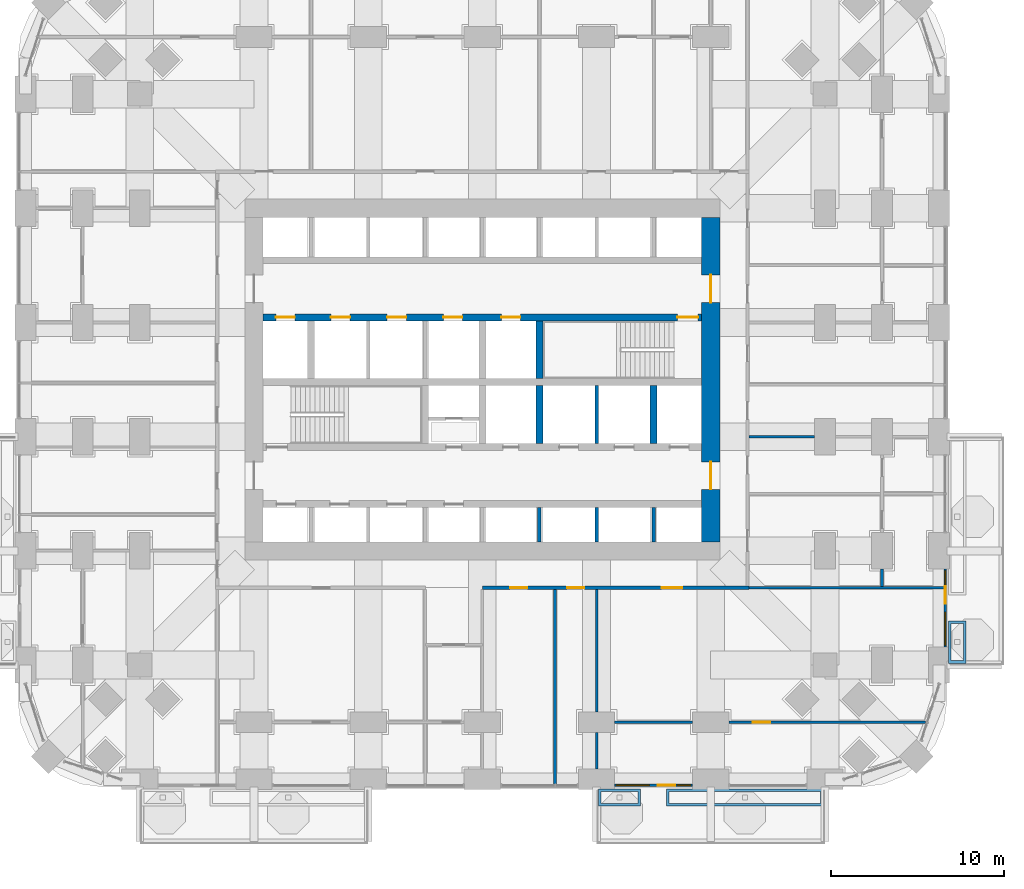
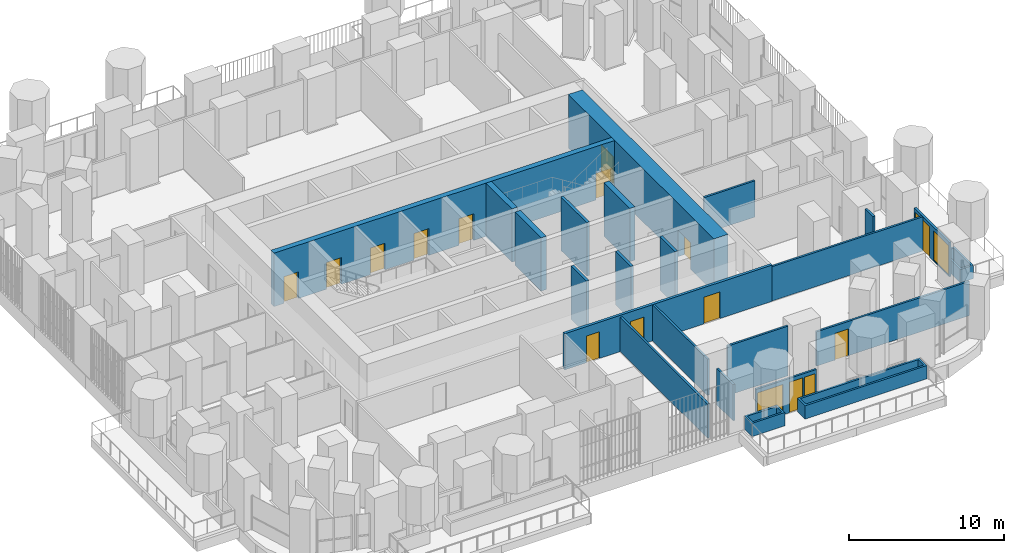
# One storey, part 20 of 27: 23 walls, 14 doors, 4 windows, 18 openings.
"""IFC4 building model written with IfcOpenShell, lengths in metres."""

from ifc_helpers import new_model, si_unit, direction, frame, frame_2d, origin, place, context, subcontext, project, spatial, polyline, rectangle, outline, extrude, material, layer, layer_set, type_object, element, fill, save


model = new_model("IFC4")

# Units and contexts
model_context = context("Model", 3, precision=1e-05, world=origin(), true_north=direction((0.0, 1.0)))
body_context = subcontext(model_context, "Body", "Model", "MODEL_VIEW")
ifc_project = project(units=[si_unit("LENGTHUNIT", "METRE"), si_unit("AREAUNIT", "SQUARE_METRE"), si_unit("VOLUMEUNIT", "CUBIC_METRE"), si_unit("PLANEANGLEUNIT", "RADIAN"), si_unit("MASSUNIT", "GRAM", prefix="KILO")], contexts=[model_context])

# Site, building, storey
site_placement = place(None, origin())
site = spatial("IfcSite", under=ifc_project, at=site_placement, CompositionType="ELEMENT")
building_placement = place(site_placement, origin())
building = spatial("IfcBuilding", under=site, at=building_placement, Name="Cobogo Forest Laboratory Tower", CompositionType="ELEMENT")
storey_placement = place(building_placement, frame((0.0, 0.0, 54.89990234375)))
storey = spatial("IfcBuildingStorey", under=building, at=storey_placement, Name="L12", CompositionType="ELEMENT", Elevation=54.89990234375)

# Wall, openings, doors
ifc_material_1 = material(Name="Concrete HA-50 (C50/60)", Category="concrete")
ifc_layer_1 = layer(ifc_material_1, 0.39990234375)
ifc_layer_set_1 = layer_set([ifc_layer_1], Name="CI400 core inner wall 400")
wall_type_1 = type_object("IfcWallType", Name="CI400 core inner wall 400", PredefinedType="SHEAR", material=ifc_layer_set_1)
wall_1_placement = place(storey_placement, frame((13.72509765625, 26.699951171875, 0.0), z_axis=(0.0, 0.0, 1.0), x_axis=(1.0, 0.0, 0.0)))
wall_1 = element("IfcWall", 1, at=wall_1_placement, inside=storey, type_object=wall_type_1, Name="Core wall CI-26.7 L12", PredefinedType="SHEAR", context=body_context, shape_type="SweptSolid", body=[
    extrude(rectangle(XDim=25.349853515625, YDim=0.39990234375, at=frame_2d((12.6748046875, 0.0))), origin(), (0.0, 0.0, 1.0), 4.2001953125),
])
opening_1_placement = place(wall_1_placement, frame((23.949951171875, 0.0, 0.0)))
opening_1 = element("IfcOpeningElement", 2, at=opening_1_placement, cuts=wall_1, Name="Opening L12-D31", PredefinedType="OPENING", context=body_context, shape_type="SweptSolid", body=[
    extrude(rectangle(XDim=1.199951171875, YDim=2.10009765625, at=frame_2d((0.60009765625, 1.050048828125))), frame((0.0, 0.2099609375, 0.0), z_axis=(0.0, -1.0, 0.0), x_axis=(1.0, 0.0, 0.0)), (0.0, 0.0, 1.0), 0.419921875),
])
opening_2_placement = place(wall_1_placement, frame((0.737548828125, 0.0, 0.0)))
opening_2 = element("IfcOpeningElement", 3, at=opening_2_placement, cuts=wall_1, Name="Opening L12-LD-FL1", PredefinedType="OPENING", context=body_context, shape_type="SweptSolid", body=[
    extrude(rectangle(XDim=1.10009765625, YDim=2.10009765625, at=frame_2d((0.550048828125, 1.050048828125))), frame((0.0, 0.2099609375, 0.0), z_axis=(0.0, -1.0, 0.0), x_axis=(1.0, 0.0, 0.0)), (0.0, 0.0, 1.0), 0.419921875),
])
opening_3_placement = place(wall_1_placement, frame((3.925048828125, 0.0, 0.0)))
opening_3 = element("IfcOpeningElement", 4, at=opening_3_placement, cuts=wall_1, Name="Opening L12-LD-LS3", PredefinedType="OPENING", context=body_context, shape_type="SweptSolid", body=[
    extrude(rectangle(XDim=1.10009765625, YDim=2.10009765625, at=frame_2d((0.550048828125, 1.050048828125))), frame((0.0, 0.2099609375, 0.0), z_axis=(0.0, -1.0, 0.0), x_axis=(1.0, 0.0, 0.0)), (0.0, 0.0, 1.0), 0.419921875),
])
opening_4_placement = place(wall_1_placement, frame((7.175048828125, 0.0, 0.0)))
opening_4 = element("IfcOpeningElement", 5, at=opening_4_placement, cuts=wall_1, Name="Opening L12-LD-LS4", PredefinedType="OPENING", context=body_context, shape_type="SweptSolid", body=[
    extrude(rectangle(XDim=1.10009765625, YDim=2.10009765625, at=frame_2d((0.550048828125, 1.050048828125))), frame((0.0, 0.2099609375, 0.0), z_axis=(0.0, -1.0, 0.0), x_axis=(1.0, 0.0, 0.0)), (0.0, 0.0, 1.0), 0.419921875),
])
opening_5_placement = place(wall_1_placement, frame((10.425048828125, 0.0, 0.0)))
opening_5 = element("IfcOpeningElement", 6, at=opening_5_placement, cuts=wall_1, Name="Opening L12-LD-LS5", PredefinedType="OPENING", context=body_context, shape_type="SweptSolid", body=[
    extrude(rectangle(XDim=1.10009765625, YDim=2.10009765625, at=frame_2d((0.550048828125, 1.050048828125))), frame((0.0, 0.2099609375, 0.0), z_axis=(0.0, -1.0, 0.0), x_axis=(1.0, 0.0, 0.0)), (0.0, 0.0, 1.0), 0.419921875),
])
opening_6_placement = place(wall_1_placement, frame((13.77490234375, 0.0, 0.0)))
opening_6 = element("IfcOpeningElement", 7, at=opening_6_placement, cuts=wall_1, Name="Opening L12-LD-LS6", PredefinedType="OPENING", context=body_context, shape_type="SweptSolid", body=[
    extrude(rectangle(XDim=1.10009765625, YDim=2.10009765625, at=frame_2d((0.550048828125, 1.050048828125))), frame((0.0, 0.2099609375, 0.0), z_axis=(0.0, -1.0, 0.0), x_axis=(1.0, 0.0, 0.0)), (0.0, 0.0, 1.0), 0.419921875),
])
ifc_material_2 = material(Name="Steel fire door", Category="steel")
door_type_1 = type_object("IfcDoorType", Name="DS1 protected stair door 1200 EI2 60", OperationType="SINGLE_SWING_LEFT", PredefinedType="DOOR", material=ifc_material_2)
door_1_placement = place(opening_1_placement, origin())
door_1 = element("IfcDoor", 8, at=door_1_placement, inside=storey, type_object=door_type_1, Name="Door L12-ST2", OperationType="SINGLE_SWING_RIGHT", OverallHeight=2.10009765625, OverallWidth=1.199951171875, PredefinedType="DOOR", context=body_context, shape_type="SweptSolid", body=[
    extrude(rectangle(XDim=1.199951171875, YDim=2.10009765625, at=frame_2d((0.60009765625, 1.050048828125))), frame((0.0, 0.02490234375, 0.0), z_axis=(0.0, -1.0, 0.0), x_axis=(1.0, 0.0, 0.0)), (0.0, 0.0, 1.0), 0.050048828125),
])
fill(opening_1, door_1)
ifc_material_3 = material(Name="Stainless steel lift door", Category="steel")
door_type_2 = type_object("IfcDoorType", Name="LD lift landing door 1100", OperationType="DOUBLE_DOOR_SLIDING", PredefinedType="DOOR", material=ifc_material_3)
door_2_placement = place(opening_2_placement, origin())
door_2 = element("IfcDoor", 9, at=door_2_placement, inside=storey, type_object=door_type_2, Name="Lift landing door FL1 L12", OperationType="DOUBLE_DOOR_SLIDING", OverallHeight=2.10009765625, OverallWidth=1.10009765625, PredefinedType="DOOR", context=body_context, shape_type="SweptSolid", body=[
    extrude(rectangle(XDim=1.10009765625, YDim=2.10009765625, at=frame_2d((0.550048828125, 1.050048828125))), frame((0.0, 0.02490234375, 0.0), z_axis=(0.0, -1.0, 0.0), x_axis=(1.0, 0.0, 0.0)), (0.0, 0.0, 1.0), 0.050048828125),
])
fill(opening_2, door_2)
door_3_placement = place(opening_3_placement, origin())
door_3 = element("IfcDoor", 10, at=door_3_placement, inside=storey, type_object=door_type_2, Name="Lift landing door LS3 L12", OperationType="DOUBLE_DOOR_SLIDING", OverallHeight=2.10009765625, OverallWidth=1.10009765625, PredefinedType="DOOR", context=body_context, shape_type="SweptSolid", body=[
    extrude(rectangle(XDim=1.10009765625, YDim=2.10009765625, at=frame_2d((0.550048828125, 1.050048828125))), frame((0.0, 0.02490234375, 0.0), z_axis=(0.0, -1.0, 0.0), x_axis=(1.0, 0.0, 0.0)), (0.0, 0.0, 1.0), 0.050048828125),
])
fill(opening_3, door_3)
door_4_placement = place(opening_4_placement, origin())
door_4 = element("IfcDoor", 11, at=door_4_placement, inside=storey, type_object=door_type_2, Name="Lift landing door LS4 L12", OperationType="DOUBLE_DOOR_SLIDING", OverallHeight=2.10009765625, OverallWidth=1.10009765625, PredefinedType="DOOR", context=body_context, shape_type="SweptSolid", body=[
    extrude(rectangle(XDim=1.10009765625, YDim=2.10009765625, at=frame_2d((0.550048828125, 1.050048828125))), frame((0.0, 0.02490234375, 0.0), z_axis=(0.0, -1.0, 0.0), x_axis=(1.0, 0.0, 0.0)), (0.0, 0.0, 1.0), 0.050048828125),
])
fill(opening_4, door_4)
door_5_placement = place(opening_5_placement, origin())
door_5 = element("IfcDoor", 12, at=door_5_placement, inside=storey, type_object=door_type_2, Name="Lift landing door LS5 L12", OperationType="DOUBLE_DOOR_SLIDING", OverallHeight=2.10009765625, OverallWidth=1.10009765625, PredefinedType="DOOR", context=body_context, shape_type="SweptSolid", body=[
    extrude(rectangle(XDim=1.10009765625, YDim=2.10009765625, at=frame_2d((0.550048828125, 1.050048828125))), frame((0.0, 0.02490234375, 0.0), z_axis=(0.0, -1.0, 0.0), x_axis=(1.0, 0.0, 0.0)), (0.0, 0.0, 1.0), 0.050048828125),
])
fill(opening_5, door_5)
door_6_placement = place(opening_6_placement, origin())
door_6 = element("IfcDoor", 13, at=door_6_placement, inside=storey, type_object=door_type_2, Name="Lift landing door LS6 L12", OperationType="DOUBLE_DOOR_SLIDING", OverallHeight=2.10009765625, OverallWidth=1.10009765625, PredefinedType="DOOR", context=body_context, shape_type="SweptSolid", body=[
    extrude(rectangle(XDim=1.10009765625, YDim=2.10009765625, at=frame_2d((0.550048828125, 1.050048828125))), frame((0.0, 0.02490234375, 0.0), z_axis=(0.0, -1.0, 0.0), x_axis=(1.0, 0.0, 0.0)), (0.0, 0.0, 1.0), 0.050048828125),
])
fill(opening_6, door_6)

# Walls
for number, where, z_axis, x_axis, name in (
    (14, (29.699951171875, 19.39990234375, 0.0), (0.0, 0.0, 1.0), (0.0, 1.0, 0.0), "Core wall CX-29.7S L12"),
    (15, (36.300048828125, 19.39990234375, 0.0), (0.0, 0.0, 1.0), (0.0, 1.0, 0.0), "Core wall CX-36.3 L12"),
    (16, (29.699951171875, 23.14990234375, 0.0), (0.0, 0.0, 1.0), (0.0, 1.0, 0.0), "Core wall CX-29.7N L12"),
):
    element("IfcWall", number, at=place(storey_placement, frame(where, z_axis=z_axis, x_axis=x_axis)), inside=storey, type_object=wall_type_1, Name=name, PredefinedType="SHEAR", context=body_context, shape_type="SweptSolid", body=[
        extrude(rectangle(XDim=3.35009765625, YDim=0.39990234375, at=frame_2d((1.675048828125, 0.0))), origin(), (0.0, 0.0, 1.0), 4.2001953125),
    ])

# Wall, openings, doors
ifc_layer_2 = layer(ifc_material_1, 1.050048828125)
ifc_layer_set_2 = layer_set([ifc_layer_2], Name="CW1050 core outer wall 1050")
wall_type_2 = type_object("IfcWallType", Name="CW1050 core outer wall 1050", PredefinedType="SHEAR", material=ifc_layer_set_2)
wall_2_placement = place(storey_placement, frame((39.60009765625, 13.72509765625, 0.0), z_axis=(0.0, 0.0, 1.0), x_axis=(0.0, 1.0, 0.0)))
wall_2 = element("IfcWall", 17, at=wall_2_placement, inside=storey, type_object=wall_type_2, Name="Core wall CO-E L12", PredefinedType="SHEAR", context=body_context, shape_type="SweptSolid", body=[
    extrude(rectangle(XDim=18.75, YDim=1.050048828125, at=frame_2d((9.375, 0.0))), origin(), (0.0, 0.0, 1.0), 4.2001953125),
])
opening_7_placement = place(wall_2_placement, frame((3.02490234375, 0.0, 0.0)))
opening_7 = element("IfcOpeningElement", 18, at=opening_7_placement, cuts=wall_2, Name="Opening L12-D20", PredefinedType="OPENING", context=body_context, shape_type="SweptSolid", body=[
    extrude(rectangle(XDim=1.60009765625, YDim=2.10009765625, at=frame_2d((0.800048828125, 1.050048828125))), frame((0.0, 0.534912109375, 0.0), z_axis=(0.0, -1.0, 0.0), x_axis=(1.0, 0.0, 0.0)), (0.0, 0.0, 1.0), 1.070068359375),
])
opening_8_placement = place(wall_2_placement, frame((13.824951171875, 0.0, 0.0)))
opening_8 = element("IfcOpeningElement", 19, at=opening_8_placement, cuts=wall_2, Name="Opening L12-D35", PredefinedType="OPENING", context=body_context, shape_type="SweptSolid", body=[
    extrude(rectangle(XDim=1.60009765625, YDim=2.10009765625, at=frame_2d((0.800048828125, 1.050048828125))), frame((0.0, 0.534912109375, 0.0), z_axis=(0.0, -1.0, 0.0), x_axis=(1.0, 0.0, 0.0)), (0.0, 0.0, 1.0), 1.070068359375),
])
door_type_3 = type_object("IfcDoorType", Name="DS2 protected lobby door pair 1600 EI2 60", OperationType="DOUBLE_DOOR_DOUBLE_SWING", PredefinedType="DOOR", material=ifc_material_2)
door_7_placement = place(opening_7_placement, origin())
door_7 = element("IfcDoor", 20, at=door_7_placement, inside=storey, type_object=door_type_3, Name="Door L12-CO-E-S", OperationType="DOUBLE_DOOR_DOUBLE_SWING", OverallHeight=2.10009765625, OverallWidth=1.60009765625, PredefinedType="DOOR", context=body_context, shape_type="SweptSolid", body=[
    extrude(rectangle(XDim=1.60009765625, YDim=2.10009765625, at=frame_2d((0.800048828125, 1.050048828125))), frame((0.0, 0.02490234375, 0.0), z_axis=(0.0, -1.0, 0.0), x_axis=(1.0, 0.0, 0.0)), (0.0, 0.0, 1.0), 0.050048828125),
])
fill(opening_7, door_7)
door_8_placement = place(opening_8_placement, origin())
door_8 = element("IfcDoor", 21, at=door_8_placement, inside=storey, type_object=door_type_3, Name="Door L12-CO-E-N", OperationType="DOUBLE_DOOR_DOUBLE_SWING", OverallHeight=2.10009765625, OverallWidth=1.60009765625, PredefinedType="DOOR", context=body_context, shape_type="SweptSolid", body=[
    extrude(rectangle(XDim=1.60009765625, YDim=2.10009765625, at=frame_2d((0.800048828125, 1.050048828125))), frame((0.0, 0.02490234375, 0.0), z_axis=(0.0, -1.0, 0.0), x_axis=(1.0, 0.0, 0.0)), (0.0, 0.0, 1.0), 0.050048828125),
])
fill(opening_8, door_8)

# Wall, openings, door, windows
ifc_material_4 = material(Name="Aluminium framed glazed screen", Category="aluminium")
ifc_layer_3 = layer(ifc_material_4, 0.14990234375)
ifc_layer_set_3 = layer_set([ifc_layer_3], Name="GS1 glazed door screen 150")
wall_type_3 = type_object("IfcWallType", Name="GS1 glazed door screen 150", PredefinedType="SOLIDWALL", material=ifc_layer_set_3)
wall_3_placement = place(storey_placement, frame((34.050048828125, -0.35009765625, 0.0), z_axis=(0.0, 0.0, 1.0), x_axis=(1.0, 0.0, 0.0)))
wall_3 = element("IfcWall", 22, at=wall_3_placement, inside=storey, type_object=wall_type_3, Name="Door screen BAL-S2 L12", PredefinedType="SOLIDWALL", context=body_context, shape_type="SweptSolid", body=[
    extrude(rectangle(XDim=4.5, YDim=0.14990234375, at=frame_2d((2.25, 0.0))), origin(), (0.0, 0.0, 1.0), 2.7001953125),
])
opening_9_placement = place(wall_3_placement, frame((2.5, 0.0, 0.0)))
opening_9 = element("IfcOpeningElement", 23, at=opening_9_placement, cuts=wall_3, Name="Opening L12-D02", PredefinedType="OPENING", context=body_context, shape_type="SweptSolid", body=[
    extrude(rectangle(XDim=1.0, YDim=2.39990234375, at=frame_2d((0.5, 1.199951171875))), frame((0.0, 0.0849609375, 0.0), z_axis=(0.0, -1.0, 0.0), x_axis=(1.0, 0.0, 0.0)), (0.0, 0.0, 1.0), 0.169921875),
])
opening_10_placement = place(wall_3_placement, frame((0.10009765625, 0.0, 0.10009765625)))
opening_10 = element("IfcOpeningElement", 24, at=opening_10_placement, cuts=wall_3, Name="Opening L12-W03", PredefinedType="OPENING", context=body_context, shape_type="SweptSolid", body=[
    extrude(rectangle(XDim=1.89990234375, YDim=2.300048828125, at=frame_2d((0.949951171875, 1.14990234375))), frame((0.0, 0.0849609375, 0.0), z_axis=(0.0, -1.0, 0.0), x_axis=(1.0, 0.0, 0.0)), (0.0, 0.0, 1.0), 0.169921875),
])
opening_11_placement = place(wall_3_placement, frame((3.60009765625, 0.0, 0.10009765625)))
opening_11 = element("IfcOpeningElement", 25, at=opening_11_placement, cuts=wall_3, Name="Opening L12-W04", PredefinedType="OPENING", context=body_context, shape_type="SweptSolid", body=[
    extrude(rectangle(XDim=0.800048828125, YDim=2.300048828125, at=frame_2d((0.39990234375, 1.14990234375))), frame((0.0, 0.0849609375, 0.0), z_axis=(0.0, -1.0, 0.0), x_axis=(1.0, 0.0, 0.0)), (0.0, 0.0, 1.0), 0.169921875),
])
ifc_material_5 = material(Name="Aluminium glazed door", Category="aluminium")
door_type_4 = type_object("IfcDoorType", Name="DB1 balcony door 1000 glazed", OperationType="SINGLE_SWING_LEFT", PredefinedType="DOOR", material=ifc_material_5)
door_9_placement = place(opening_9_placement, origin())
door_9 = element("IfcDoor", 26, at=door_9_placement, inside=storey, type_object=door_type_4, Name="Door L12-BAL-S2", OperationType="SINGLE_SWING_RIGHT", OverallHeight=2.39990234375, OverallWidth=1.0, PredefinedType="DOOR", context=body_context, shape_type="SweptSolid", body=[
    extrude(rectangle(XDim=1.0, YDim=2.39990234375, at=frame_2d((0.5, 1.199951171875))), frame((0.0, 0.02490234375, 0.0), z_axis=(0.0, -1.0, 0.0), x_axis=(1.0, 0.0, 0.0)), (0.0, 0.0, 1.0), 0.050048828125),
])
fill(opening_9, door_9)
ifc_material_6 = material(Name="Aluminium framed glazing", Category="aluminium")
window_type_1 = type_object("IfcWindowType", Name="WG3 fixed glazed light 1900x2300", PartitioningType="SINGLE_PANEL", PredefinedType="WINDOW", material=ifc_material_6)
window_1_placement = place(opening_10_placement, origin())
window_1 = element("IfcWindow", 27, at=window_1_placement, inside=storey, type_object=window_type_1, Name="Window L12-BAL-S2-1", OverallHeight=2.300048828125, OverallWidth=1.89990234375, PartitioningType="SINGLE_PANEL", PredefinedType="WINDOW", context=body_context, shape_type="SweptSolid", body=[
    extrude(rectangle(XDim=1.89990234375, YDim=2.300048828125, at=frame_2d((0.949951171875, 1.14990234375))), frame((0.0, 0.030029296875, 0.0), z_axis=(0.0, -1.0, 0.0), x_axis=(1.0, 0.0, 0.0)), (0.0, 0.0, 1.0), 0.06005859375),
])
fill(opening_10, window_1)
window_type_2 = type_object("IfcWindowType", Name="WG4 fixed glazed light 800x2300", PartitioningType="SINGLE_PANEL", PredefinedType="WINDOW", material=ifc_material_6)
window_2_placement = place(opening_11_placement, origin())
window_2 = element("IfcWindow", 28, at=window_2_placement, inside=storey, type_object=window_type_2, Name="Window L12-BAL-S2-2", OverallHeight=2.300048828125, OverallWidth=0.800048828125, PartitioningType="SINGLE_PANEL", PredefinedType="WINDOW", context=body_context, shape_type="SweptSolid", body=[
    extrude(rectangle(XDim=0.800048828125, YDim=2.300048828125, at=frame_2d((0.39990234375, 1.14990234375))), frame((0.0, 0.030029296875, 0.0), z_axis=(0.0, -1.0, 0.0), x_axis=(1.0, 0.0, 0.0)), (0.0, 0.0, 1.0), 0.06005859375),
])
fill(opening_11, window_2)

wall_4_placement = place(storey_placement, frame((53.14990234375, 7.64990234375, 0.0), z_axis=(0.0, 0.0, 1.0), x_axis=(0.0, 1.0, 0.0)))
wall_4 = element("IfcWall", 29, at=wall_4_placement, inside=storey, type_object=wall_type_3, Name="Door screen BAL-E1 L12", PredefinedType="SOLIDWALL", context=body_context, shape_type="SweptSolid", body=[
    extrude(rectangle(XDim=4.5, YDim=0.14990234375, at=frame_2d((2.25, 0.0))), origin(), (0.0, 0.0, 1.0), 2.7001953125),
])
opening_12_placement = place(wall_4_placement, frame((2.5, 0.0, 0.0)))
opening_12 = element("IfcOpeningElement", 30, at=opening_12_placement, cuts=wall_4, Name="Opening L12-D09", PredefinedType="OPENING", context=body_context, shape_type="SweptSolid", body=[
    extrude(rectangle(XDim=1.0, YDim=2.39990234375, at=frame_2d((0.5, 1.199951171875))), frame((0.0, 0.0849609375, 0.0), z_axis=(0.0, -1.0, 0.0), x_axis=(1.0, 0.0, 0.0)), (0.0, 0.0, 1.0), 0.169921875),
])
opening_13_placement = place(wall_4_placement, frame((0.10009765625, 0.0, 0.10009765625)))
opening_13 = element("IfcOpeningElement", 31, at=opening_13_placement, cuts=wall_4, Name="Opening L12-W06", PredefinedType="OPENING", context=body_context, shape_type="SweptSolid", body=[
    extrude(rectangle(XDim=1.89990234375, YDim=2.300048828125, at=frame_2d((0.949951171875, 1.14990234375))), frame((0.0, 0.0849609375, 0.0), z_axis=(0.0, -1.0, 0.0), x_axis=(1.0, 0.0, 0.0)), (0.0, 0.0, 1.0), 0.169921875),
])
opening_14_placement = place(wall_4_placement, frame((3.60009765625, 0.0, 0.10009765625)))
opening_14 = element("IfcOpeningElement", 32, at=opening_14_placement, cuts=wall_4, Name="Opening L12-W08", PredefinedType="OPENING", context=body_context, shape_type="SweptSolid", body=[
    extrude(rectangle(XDim=0.800048828125, YDim=2.300048828125, at=frame_2d((0.39990234375, 1.14990234375))), frame((0.0, 0.0849609375, 0.0), z_axis=(0.0, -1.0, 0.0), x_axis=(1.0, 0.0, 0.0)), (0.0, 0.0, 1.0), 0.169921875),
])
door_10_placement = place(opening_12_placement, origin())
door_10 = element("IfcDoor", 33, at=door_10_placement, inside=storey, type_object=door_type_4, Name="Door L12-BAL-E1", OperationType="SINGLE_SWING_RIGHT", OverallHeight=2.39990234375, OverallWidth=1.0, PredefinedType="DOOR", context=body_context, shape_type="SweptSolid", body=[
    extrude(rectangle(XDim=1.0, YDim=2.39990234375, at=frame_2d((0.5, 1.199951171875))), frame((0.0, 0.02490234375, 0.0), z_axis=(0.0, -1.0, 0.0), x_axis=(1.0, 0.0, 0.0)), (0.0, 0.0, 1.0), 0.050048828125),
])
fill(opening_12, door_10)
window_3_placement = place(opening_13_placement, origin())
window_3 = element("IfcWindow", 34, at=window_3_placement, inside=storey, type_object=window_type_1, Name="Window L12-BAL-E1-1", OverallHeight=2.300048828125, OverallWidth=1.89990234375, PartitioningType="SINGLE_PANEL", PredefinedType="WINDOW", context=body_context, shape_type="SweptSolid", body=[
    extrude(rectangle(XDim=1.89990234375, YDim=2.300048828125, at=frame_2d((0.949951171875, 1.14990234375))), frame((0.0, 0.030029296875, 0.0), z_axis=(0.0, -1.0, 0.0), x_axis=(1.0, 0.0, 0.0)), (0.0, 0.0, 1.0), 0.06005859375),
])
fill(opening_13, window_3)
window_4_placement = place(opening_14_placement, origin())
window_4 = element("IfcWindow", 35, at=window_4_placement, inside=storey, type_object=window_type_2, Name="Window L12-BAL-E1-2", OverallHeight=2.300048828125, OverallWidth=0.800048828125, PartitioningType="SINGLE_PANEL", PredefinedType="WINDOW", context=body_context, shape_type="SweptSolid", body=[
    extrude(rectangle(XDim=0.800048828125, YDim=2.300048828125, at=frame_2d((0.39990234375, 1.14990234375))), frame((0.0, 0.030029296875, 0.0), z_axis=(0.0, -1.0, 0.0), x_axis=(1.0, 0.0, 0.0)), (0.0, 0.0, 1.0), 0.06005859375),
])
fill(opening_14, window_4)

# Walls
ifc_material_7 = material(Name="Gypsum board on steel studs", Category="steel")
ifc_layer_4 = layer(ifc_material_7, 0.14990234375)
ifc_layer_set_4 = layer_set([ifc_layer_4], Name="PT1 laboratory partition 150")
wall_type_4 = type_object("IfcWallType", Name="PT1 laboratory partition 150", PredefinedType="PARTITIONING", material=ifc_layer_set_4)
wall_5_placement = place(storey_placement, frame((53.070068359375, 11.074951171875, 0.0), z_axis=(0.0, 0.0, 1.0), x_axis=(-1.0, 0.0, 0.0)))
element("IfcWall", 36, at=wall_5_placement, inside=storey, type_object=wall_type_4, Name="Partition PW-SE L12", PredefinedType="PARTITIONING", context=body_context, shape_type="SweptSolid", body=[
    extrude(rectangle(XDim=11.2451171875, YDim=0.14990234375, at=frame_2d((5.62255859375, 0.0))), origin(), (0.0, 0.0, 1.0), 2.7001953125),
])
wall_6_placement = place(storey_placement, frame((34.050048828125, 3.300048828125, 0.0), z_axis=(0.0, 0.0, 1.0), x_axis=(1.0, 0.0, 0.0)))
element("IfcWall", 37, at=wall_6_placement, inside=storey, type_object=wall_type_4, Name="Partition STRIP-S-4 L12", PredefinedType="PARTITIONING", context=body_context, shape_type="SweptSolid", body=[
    extrude(rectangle(XDim=4.5, YDim=0.14990234375, at=frame_2d((2.25, 0.0))), origin(), (0.0, 0.0, 1.0), 3.900146484375),
])

# Wall, opening, door
wall_7_placement = place(storey_placement, frame((40.64990234375, 3.300048828125, 0.0), z_axis=(0.0, 0.0, 1.0), x_axis=(1.0, 0.0, 0.0)))
wall_7 = element("IfcWall", 38, at=wall_7_placement, inside=storey, type_object=wall_type_4, Name="Partition STRIP-S-5 L12", PredefinedType="PARTITIONING", context=body_context, shape_type="SweptSolid", body=[
    extrude(rectangle(XDim=11.3740234375, YDim=0.14990234375, at=frame_2d((5.68701171875, 0.0))), origin(), (0.0, 0.0, 1.0), 2.7001953125),
])
opening_15_placement = place(wall_7_placement, frame((1.39208984375, 0.0, 0.0)))
opening_15 = element("IfcOpeningElement", 39, at=opening_15_placement, cuts=wall_7, Name="Opening L12-D05", PredefinedType="OPENING", context=body_context, shape_type="SweptSolid", body=[
    extrude(rectangle(XDim=1.0, YDim=2.10009765625, at=frame_2d((0.5, 1.050048828125))), frame((0.0, 0.0849609375, 0.0), z_axis=(0.0, -1.0, 0.0), x_axis=(1.0, 0.0, 0.0)), (0.0, 0.0, 1.0), 0.169921875),
])
ifc_material_8 = material(Name="Timber fire door", Category="wood")
door_type_5 = type_object("IfcDoorType", Name="FD2 fire door 1000 EI2 30", OperationType="SINGLE_SWING_LEFT", PredefinedType="DOOR", material=ifc_material_8)
door_11_placement = place(opening_15_placement, origin())
door_11 = element("IfcDoor", 40, at=door_11_placement, inside=storey, type_object=door_type_5, Name="Door L12-S3W", OperationType="SINGLE_SWING_LEFT", OverallHeight=2.10009765625, OverallWidth=1.0, PredefinedType="DOOR", context=body_context, shape_type="SweptSolid", body=[
    extrude(rectangle(XDim=1.0, YDim=2.10009765625, at=frame_2d((0.5, 1.050048828125))), frame((0.0, 0.02490234375, 0.0), z_axis=(0.0, -1.0, 0.0), x_axis=(1.0, 0.0, 0.0)), (0.0, 0.0, 1.0), 0.050048828125),
])
fill(opening_15, door_11)

# Walls
wall_8_placement = place(storey_placement, frame((30.60009765625, -0.27001953125, 0.0), z_axis=(0.0, 0.0, 1.0), x_axis=(0.0, 1.0, 0.0)))
element("IfcWall", 41, at=wall_8_placement, inside=storey, type_object=wall_type_4, Name="Partition SVC-S1-1 L12", PredefinedType="PARTITIONING", context=body_context, shape_type="SweptSolid", body=[
    extrude(rectangle(XDim=11.2451171875, YDim=0.14990234375, at=frame_2d((5.62255859375, 0.0))), origin(), (0.0, 0.0, 1.0), 2.7001953125),
])
wall_9_placement = place(storey_placement, frame((33.0, 0.60009765625, 0.0), z_axis=(0.0, 0.0, 1.0), x_axis=(0.0, 1.0, 0.0)))
element("IfcWall", 42, at=wall_9_placement, inside=storey, type_object=wall_type_4, Name="Partition SVC-S2-1 L12", PredefinedType="PARTITIONING", context=body_context, shape_type="SweptSolid", body=[
    extrude(rectangle(XDim=2.099853515625, YDim=0.14990234375, at=frame_2d((1.0498046875, 0.0))), origin(), (0.0, 0.0, 1.0), 2.85009765625),
])
wall_10_placement = place(storey_placement, frame((33.0, 3.89990234375, 0.0), z_axis=(0.0, 0.0, 1.0), x_axis=(0.0, 1.0, 0.0)))
element("IfcWall", 43, at=wall_10_placement, inside=storey, type_object=wall_type_4, Name="Partition SVC-S2-2 L12", PredefinedType="PARTITIONING", context=body_context, shape_type="SweptSolid", body=[
    extrude(rectangle(XDim=7.0751953125, YDim=0.14990234375, at=frame_2d((3.53759765625, 0.0))), origin(), (0.0, 0.0, 1.0), 2.85009765625),
])
wall_11_placement = place(storey_placement, frame((49.5, 11.14990234375, 0.0), z_axis=(0.0, 0.0, 1.0), x_axis=(0.0, 1.0, 0.0)))
element("IfcWall", 44, at=wall_11_placement, inside=storey, type_object=wall_type_4, Name="Partition STRIP-E-1 L12", PredefinedType="PARTITIONING", context=body_context, shape_type="SweptSolid", body=[
    extrude(rectangle(XDim=1.0, YDim=0.14990234375, at=frame_2d((0.5, 0.0))), origin(), (0.0, 0.0, 1.0), 3.900146484375),
])
wall_12_placement = place(storey_placement, frame((45.60009765625, 19.800048828125, 0.0), z_axis=(0.0, 0.0, 1.0), x_axis=(-1.0, 0.0, 0.0)))
element("IfcWall", 45, at=wall_12_placement, inside=storey, type_object=wall_type_4, Name="Partition CUT-E19.8-3 L12", PredefinedType="PARTITIONING", context=body_context, shape_type="SweptSolid", body=[
    extrude(rectangle(XDim=3.775146484375, YDim=0.14990234375, at=frame_2d((1.8876953125, 0.0))), origin(), (0.0, 0.0, 1.0), 2.85009765625),
])

# Wall, openings, doors
ifc_layer_5 = layer(ifc_material_7, 0.199951171875)
ifc_layer_set_5 = layer_set([ifc_layer_5], Name="PT2 fire-rated corridor partition 200")
wall_type_5 = type_object("IfcWallType", Name="PT2 fire-rated corridor partition 200", PredefinedType="PARTITIONING", material=ifc_layer_set_5)
wall_13_placement = place(storey_placement, frame((26.39990234375, 11.074951171875, 0.0), z_axis=(0.0, 0.0, 1.0), x_axis=(1.0, 0.0, 0.0)))
wall_13 = element("IfcWall", 46, at=wall_13_placement, inside=storey, type_object=wall_type_5, Name="Partition CORR-S-2 L12", PredefinedType="PARTITIONING", context=body_context, shape_type="SweptSolid", body=[
    extrude(rectangle(XDim=15.425048828125, YDim=0.199951171875, at=frame_2d((7.71240234375, 0.0))), origin(), (0.0, 0.0, 1.0), 2.85009765625),
])
opening_16_placement = place(wall_13_placement, frame((1.60009765625, 0.0, 0.0)))
opening_16 = element("IfcOpeningElement", 47, at=opening_16_placement, cuts=wall_13, Name="Opening L12-D11", PredefinedType="OPENING", context=body_context, shape_type="SweptSolid", body=[
    extrude(rectangle(XDim=1.0, YDim=2.10009765625, at=frame_2d((0.5, 1.050048828125))), frame((0.0, 0.10986328125, 0.0), z_axis=(0.0, -1.0, 0.0), x_axis=(1.0, 0.0, 0.0)), (0.0, 0.0, 1.0), 0.219970703125),
])
opening_17_placement = place(wall_13_placement, frame((4.89990234375, 0.0, 0.0)))
opening_17 = element("IfcOpeningElement", 48, at=opening_17_placement, cuts=wall_13, Name="Opening L12-D12", PredefinedType="OPENING", context=body_context, shape_type="SweptSolid", body=[
    extrude(rectangle(XDim=1.0, YDim=2.10009765625, at=frame_2d((0.5, 1.050048828125))), frame((0.0, 0.10986328125, 0.0), z_axis=(0.0, -1.0, 0.0), x_axis=(1.0, 0.0, 0.0)), (0.0, 0.0, 1.0), 0.219970703125),
])
opening_18_placement = place(wall_13_placement, frame((10.362548828125, 0.0, 0.0)))
opening_18 = element("IfcOpeningElement", 49, at=opening_18_placement, cuts=wall_13, Name="Opening L12-D13", PredefinedType="OPENING", context=body_context, shape_type="SweptSolid", body=[
    extrude(rectangle(XDim=1.199951171875, YDim=2.10009765625, at=frame_2d((0.60009765625, 1.050048828125))), frame((0.0, 0.10986328125, 0.0), z_axis=(0.0, -1.0, 0.0), x_axis=(1.0, 0.0, 0.0)), (0.0, 0.0, 1.0), 0.219970703125),
])
ifc_material_9 = material(Name="Timber door", Category="wood")
door_type_6 = type_object("IfcDoorType", Name="D2 laboratory door 1200 unequal pair", OperationType="DOUBLE_DOOR_SINGLE_SWING", PredefinedType="DOOR", material=ifc_material_9)
door_12_placement = place(opening_18_placement, origin())
door_12 = element("IfcDoor", 50, at=door_12_placement, inside=storey, type_object=door_type_6, Name="Door L12-S3", OperationType="DOUBLE_DOOR_SINGLE_SWING", OverallHeight=2.10009765625, OverallWidth=1.199951171875, PredefinedType="DOOR", context=body_context, shape_type="SweptSolid", body=[
    extrude(rectangle(XDim=1.199951171875, YDim=2.10009765625, at=frame_2d((0.60009765625, 1.050048828125))), frame((0.0, 0.02490234375, 0.0), z_axis=(0.0, -1.0, 0.0), x_axis=(1.0, 0.0, 0.0)), (0.0, 0.0, 1.0), 0.050048828125),
])
fill(opening_18, door_12)
door_13_placement = place(opening_16_placement, origin())
door_13 = element("IfcDoor", 51, at=door_13_placement, inside=storey, type_object=door_type_5, Name="Door L12-MTG", OperationType="SINGLE_SWING_LEFT", OverallHeight=2.10009765625, OverallWidth=1.0, PredefinedType="DOOR", context=body_context, shape_type="SweptSolid", body=[
    extrude(rectangle(XDim=1.0, YDim=2.10009765625, at=frame_2d((0.5, 1.050048828125))), frame((0.0, 0.02490234375, 0.0), z_axis=(0.0, -1.0, 0.0), x_axis=(1.0, 0.0, 0.0)), (0.0, 0.0, 1.0), 0.050048828125),
])
fill(opening_16, door_13)
door_14_placement = place(opening_17_placement, origin())
door_14 = element("IfcDoor", 52, at=door_14_placement, inside=storey, type_object=door_type_5, Name="Door L12-PAN", OperationType="SINGLE_SWING_LEFT", OverallHeight=2.10009765625, OverallWidth=1.0, PredefinedType="DOOR", context=body_context, shape_type="SweptSolid", body=[
    extrude(rectangle(XDim=1.0, YDim=2.10009765625, at=frame_2d((0.5, 1.050048828125))), frame((0.0, 0.02490234375, 0.0), z_axis=(0.0, -1.0, 0.0), x_axis=(1.0, 0.0, 0.0)), (0.0, 0.0, 1.0), 0.050048828125),
])
fill(opening_17, door_14)

# Walls
ifc_material_10 = material(Name="Concrete HA-40 (C40/50)", Category="concrete")
ifc_layer_6 = layer(ifc_material_10, 0.14990234375)
ifc_layer_set_6 = layer_set([ifc_layer_6], Name="Planter box 1000x1050")
wall_type_6 = type_object("IfcWallType", Name="Planter box 1000x1050", PredefinedType="USERDEFINED", material=ifc_layer_set_6)
wall_14_placement = place(storey_placement, origin())
element("IfcWall", 53, at=wall_14_placement, inside=storey, type_object=wall_type_6, Name="Planter BAL-S2-1 L12", ObjectType="PLANTER", PredefinedType="USERDEFINED", context=body_context, shape_type="SweptSolid", body=[
    extrude(outline(polyline([(33.10009765625, -1.550048828125), (35.550048828125, -1.550048828125), (35.550048828125, -0.550048828125), (33.10009765625, -0.550048828125), (33.10009765625, -1.550048828125)]), holes=[polyline([(33.25, -1.39990234375), (35.39990234375, -1.39990234375), (35.39990234375, -0.699951171875), (33.25, -0.699951171875), (33.25, -1.39990234375)])]), origin(), (0.0, 0.0, 1.0), 1.050048828125),
])
wall_15_placement = place(storey_placement, origin())
element("IfcWall", 54, at=wall_15_placement, inside=storey, type_object=wall_type_6, Name="Planter BAL-S2-2 L12", ObjectType="PLANTER", PredefinedType="USERDEFINED", context=body_context, shape_type="SweptSolid", body=[
    extrude(outline(polyline([(37.050048828125, -1.550048828125), (46.10009765625, -1.550048828125), (46.10009765625, -0.550048828125), (37.050048828125, -0.550048828125), (37.050048828125, -1.550048828125)]), holes=[polyline([(37.199951171875, -1.39990234375), (45.949951171875, -1.39990234375), (45.949951171875, -0.699951171875), (37.199951171875, -0.699951171875), (37.199951171875, -1.39990234375)])]), origin(), (0.0, 0.0, 1.0), 1.050048828125),
])
wall_16_placement = place(storey_placement, origin())
element("IfcWall", 55, at=wall_16_placement, inside=storey, type_object=wall_type_6, Name="Planter BAL-E1-1 L12", ObjectType="PLANTER", PredefinedType="USERDEFINED", context=body_context, shape_type="SweptSolid", body=[
    extrude(outline(polyline([(53.35009765625, 6.699951171875), (54.35009765625, 6.699951171875), (54.35009765625, 9.14990234375), (53.35009765625, 9.14990234375), (53.35009765625, 6.699951171875)]), holes=[polyline([(53.5, 6.85009765625), (54.199951171875, 6.85009765625), (54.199951171875, 9.0), (53.5, 9.0), (53.5, 6.85009765625)])]), origin(), (0.0, 0.0, 1.0), 1.050048828125),
])
ifc_material_11 = material(Name="Concrete block", Category="concrete")
ifc_layer_7 = layer(ifc_material_11, 0.199951171875)
ifc_layer_set_7 = layer_set([ifc_layer_7], Name="SW200 lift shaft separator 200")
wall_type_7 = type_object("IfcWallType", Name="SW200 lift shaft separator 200", PredefinedType="PARTITIONING", material=ifc_layer_set_7)
for number, where, z_axis, x_axis, name in (
    (56, (29.699951171875, 13.72509765625, 0.0), (0.0, 0.0, 1.0), (0.0, 1.0, 0.0), "Core wall SEP-S5 L12"),
    (57, (33.0, 13.72509765625, 0.0), (0.0, 0.0, 1.0), (0.0, 1.0, 0.0), "Core wall SEP-S6 L12"),
    (58, (36.300048828125, 13.72509765625, 0.0), (0.0, 0.0, 1.0), (0.0, 1.0, 0.0), "Core wall SEP-S7 L12"),
):
    element("IfcWall", number, at=place(storey_placement, frame(where, z_axis=z_axis, x_axis=x_axis)), inside=storey, type_object=wall_type_7, Name=name, PredefinedType="PARTITIONING", context=body_context, shape_type="SweptSolid", body=[
        extrude(rectangle(XDim=1.974853515625, YDim=0.199951171875, at=frame_2d((0.9873046875, 0.0))), origin(), (0.0, 0.0, 1.0), 4.2001953125),
    ])
wall_17_placement = place(storey_placement, frame((33.0, 19.39990234375, 0.0), z_axis=(0.0, 0.0, 1.0), x_axis=(0.0, 1.0, 0.0)))
element("IfcWall", 59, at=wall_17_placement, inside=storey, type_object=wall_type_7, Name="Core wall SEP-M33.0 L12", PredefinedType="PARTITIONING", context=body_context, shape_type="SweptSolid", body=[
    extrude(rectangle(XDim=3.35009765625, YDim=0.199951171875, at=frame_2d((1.675048828125, 0.0))), origin(), (0.0, 0.0, 1.0), 4.2001953125),
])

save(model, "model.ifc")
